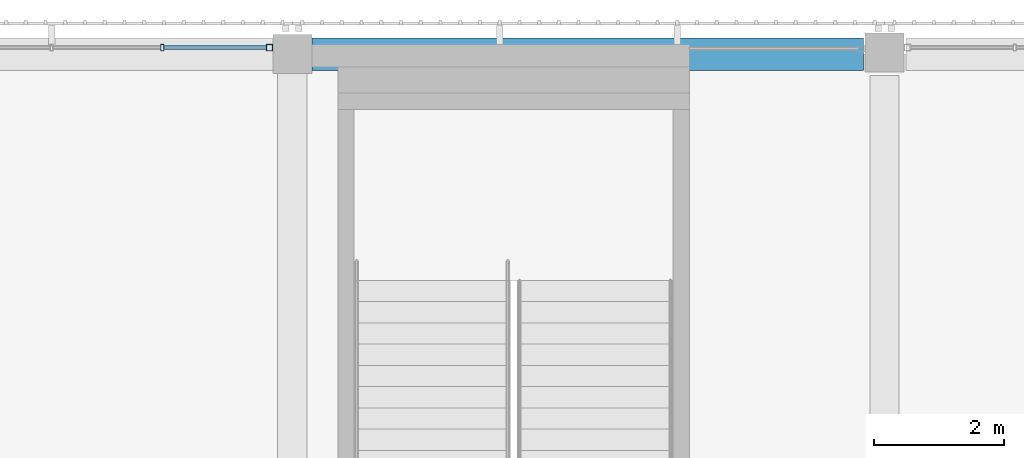
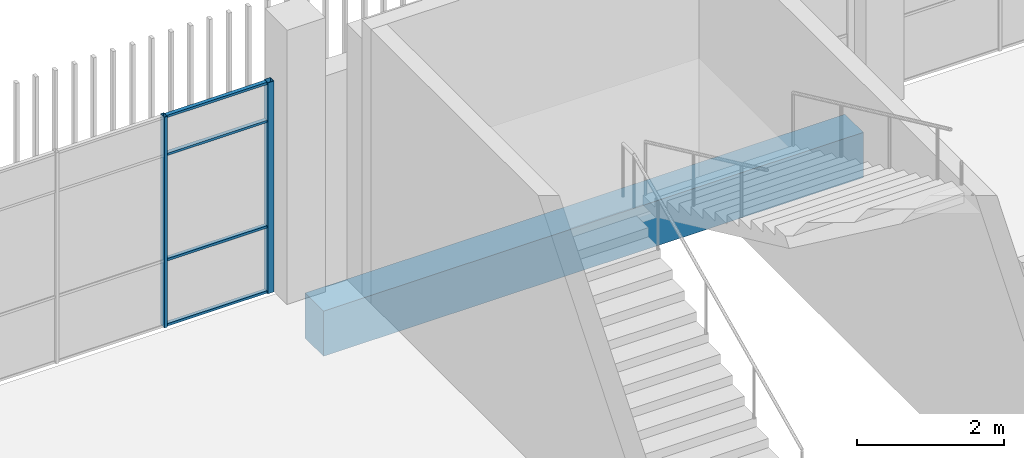
# One storey, part 39 of 126: 6 members, 1 beam, 1 element without a shape of its own.
"""IFC4 building model written with IfcOpenShell, lengths in metres."""

from ifc_helpers import new_model, si_unit, direction, frame, origin, origin_2d, place, context, subcontext, project, spatial, rectangle, hollow_rectangle, extrude, material, layer, layer_set, material_profile, profile_set, type_object, element, aggregate, save


model = new_model("IFC4")

# Units and contexts
model_context = context("Model", 3, precision=1e-05, world=origin(), true_north=direction((0.0, 1.0)))
body_context = subcontext(model_context, "Body", "Model", "MODEL_VIEW")
ifc_project = project(units=[si_unit("LENGTHUNIT", "METRE"), si_unit("AREAUNIT", "SQUARE_METRE"), si_unit("VOLUMEUNIT", "CUBIC_METRE"), si_unit("PLANEANGLEUNIT", "RADIAN"), si_unit("MASSUNIT", "GRAM", prefix="KILO")], contexts=[model_context])

# Site, building, storey
site_placement = place(None, origin())
site = spatial("IfcSite", under=ifc_project, at=site_placement, CompositionType="ELEMENT")
building_placement = place(site_placement, origin())
building = spatial("IfcBuilding", under=site, at=building_placement, Name="Shirokan Park Arena", CompositionType="ELEMENT")
storey_placement = place(building_placement, frame((0.0, 0.0, 6.3701171875)))
storey = spatial("IfcBuildingStorey", under=building, at=storey_placement, Name="L01", CompositionType="ELEMENT", Elevation=6.3701171875)

# Curtain wall, members
ifc_material_1 = material(Name="Steel and glass curtain wall", Category="steel")
ifc_layer = layer(ifc_material_1, 0.10009765625)
ifc_layer_set = layer_set([ifc_layer], Name="Steel and glass curtain wall 100 mm")
curtain_wall_type = type_object("IfcCurtainWallType", Name="Curtain wall sheltered bay 100", PredefinedType="NOTDEFINED", material=ifc_layer_set)
curtain_wall_placement = place(storey_placement, origin())
curtain_wall = element("IfcCurtainWall", 1, at=curtain_wall_placement, inside=storey, type_object=curtain_wall_type, Name="Curtain wall north bay 8 L01", PredefinedType="NOTDEFINED")
ifc_material_2 = material(Name="Steel S355", Category="steel")
ifc_material_profile_1 = material_profile(ifc_material_2, hollow_rectangle(XDim=0.10009765625, YDim=0.10009765625, WallThickness=0.006103515625, at=origin_2d()), Name="RHS 100x100x6")
ifc_profile_set_1 = profile_set([ifc_material_profile_1], Name="Steel S355")
member_type_1 = type_object("IfcMemberType", Name="Mullion RHS 100x100x6", PredefinedType="MULLION", material=ifc_profile_set_1)
member_1_placement = place(storey_placement, frame((81.550048828125, 109.300048828125, 0.0), z_axis=(0.0, 0.0, 1.0), x_axis=(0.0, -1.0, 0.0)))
member_1 = element("IfcMember", 2, at=member_1_placement, type_object=member_type_1, Name="CW2 mullion 1", PredefinedType="MULLION", context=body_context, shape_type="SweptSolid", body=[
    extrude(hollow_rectangle(XDim=0.10009765625, YDim=0.10009765625, WallThickness=0.006103515625, at=origin_2d()), origin(), (0.0, 0.0, 1.0), 3.5),
])
ifc_material_profile_2 = material_profile(ifc_material_2, hollow_rectangle(XDim=0.10009765625, YDim=0.050048828125, WallThickness=0.0048828125, at=origin_2d()), Name="RHS 100x50x5")
ifc_profile_set_2 = profile_set([ifc_material_profile_2], Name="Steel S355")
member_type_2 = type_object("IfcMemberType", Name="Mullion RHS 100x50x5", PredefinedType="MULLION", material=ifc_profile_set_2)
member_2_placement = place(storey_placement, frame((79.89990234375, 109.300048828125, 0.0), z_axis=(0.0, 0.0, 1.0), x_axis=(0.0, -1.0, 0.0)))
member_2 = element("IfcMember", 3, at=member_2_placement, type_object=member_type_2, Name="CW2 mullion 2", PredefinedType="MULLION", context=body_context, shape_type="SweptSolid", body=[
    extrude(hollow_rectangle(XDim=0.10009765625, YDim=0.050048828125, WallThickness=0.0048828125, at=origin_2d()), origin(), (0.0, 0.0, 1.0), 3.5),
])

# Beam
ifc_material_3 = material(Name="Concrete C35", Category="concrete")
ifc_material_profile_3 = material_profile(ifc_material_3, rectangle(XDim=0.5, YDim=0.75, at=origin_2d()), Name="500x750")
ifc_profile_set_3 = profile_set([ifc_material_profile_3], Name="Concrete C35")
beam_type = type_object("IfcBeamType", Name="RC girder 500x750", PredefinedType="BEAM", material=ifc_profile_set_3)
beam_placement = place(storey_placement, frame((82.2001953125, 109.199951171875, -0.72509765625), z_axis=(1.0, 0.0, 0.0), x_axis=(0.0, 1.0, 0.0)))
element("IfcBeam", 4, at=beam_placement, inside=storey, type_object=beam_type, Name="Girder 10N-11N L01", PredefinedType="BEAM", context=body_context, shape_type="SweptSolid", body=[
    extrude(rectangle(XDim=0.5, YDim=0.75, at=origin_2d()), origin(), (0.0, 0.0, 1.0), 8.474609375),
])

# Member
ifc_material_profile_4 = material_profile(ifc_material_2, hollow_rectangle(XDim=0.06005859375, YDim=0.0400390625, WallThickness=0.00390625, at=origin_2d()), Name="RHS 60x40x4")
ifc_profile_set_4 = profile_set([ifc_material_profile_4], Name="Steel S355")
member_type_3 = type_object("IfcMemberType", Name="Transom RHS 60x40x4", PredefinedType="MULLION", material=ifc_profile_set_4)
member_3_placement = place(storey_placement, frame((81.5, 109.300048828125, 0.019775390625), z_axis=(-1.0, 0.0, 0.0), x_axis=(0.0, -1.0, 0.0)))
member_3 = element("IfcMember", 5, at=member_3_placement, type_object=member_type_3, Name="CW2 transom 1.1", PredefinedType="MULLION", context=body_context, shape_type="SweptSolid", body=[
    extrude(hollow_rectangle(XDim=0.06005859375, YDim=0.0400390625, WallThickness=0.00390625, at=origin_2d()), origin(), (0.0, 0.0, 1.0), 1.574951171875),
])

member_4_placement = place(storey_placement, frame((81.5, 109.300048828125, 1.099853515625), z_axis=(-1.0, 0.0, 0.0), x_axis=(0.0, -1.0, 0.0)))
member_4 = element("IfcMember", 6, at=member_4_placement, type_object=member_type_3, Name="CW2 transom 1.2", PredefinedType="MULLION", context=body_context, shape_type="SweptSolid", body=[
    extrude(hollow_rectangle(XDim=0.06005859375, YDim=0.0400390625, WallThickness=0.00390625, at=origin_2d()), origin(), (0.0, 0.0, 1.0), 1.574951171875),
])

member_5_placement = place(storey_placement, frame((81.5, 109.300048828125, 2.849853515625), z_axis=(-1.0, 0.0, 0.0), x_axis=(0.0, -1.0, 0.0)))
member_5 = element("IfcMember", 7, at=member_5_placement, type_object=member_type_3, Name="CW2 transom 1.3", PredefinedType="MULLION", context=body_context, shape_type="SweptSolid", body=[
    extrude(hollow_rectangle(XDim=0.06005859375, YDim=0.0400390625, WallThickness=0.00390625, at=origin_2d()), origin(), (0.0, 0.0, 1.0), 1.574951171875),
])

member_6_placement = place(storey_placement, frame((81.5, 109.300048828125, 3.47998046875), z_axis=(-1.0, 0.0, 0.0), x_axis=(0.0, -1.0, 0.0)))
member_6 = element("IfcMember", 8, at=member_6_placement, type_object=member_type_3, Name="CW2 transom 1.4", PredefinedType="MULLION", context=body_context, shape_type="SweptSolid", body=[
    extrude(hollow_rectangle(XDim=0.06005859375, YDim=0.0400390625, WallThickness=0.00390625, at=origin_2d()), origin(), (0.0, 0.0, 1.0), 1.574951171875),
])

aggregate(curtain_wall, [member_1, member_2, member_3, member_4, member_5, member_6])

save(model, "model.ifc")
